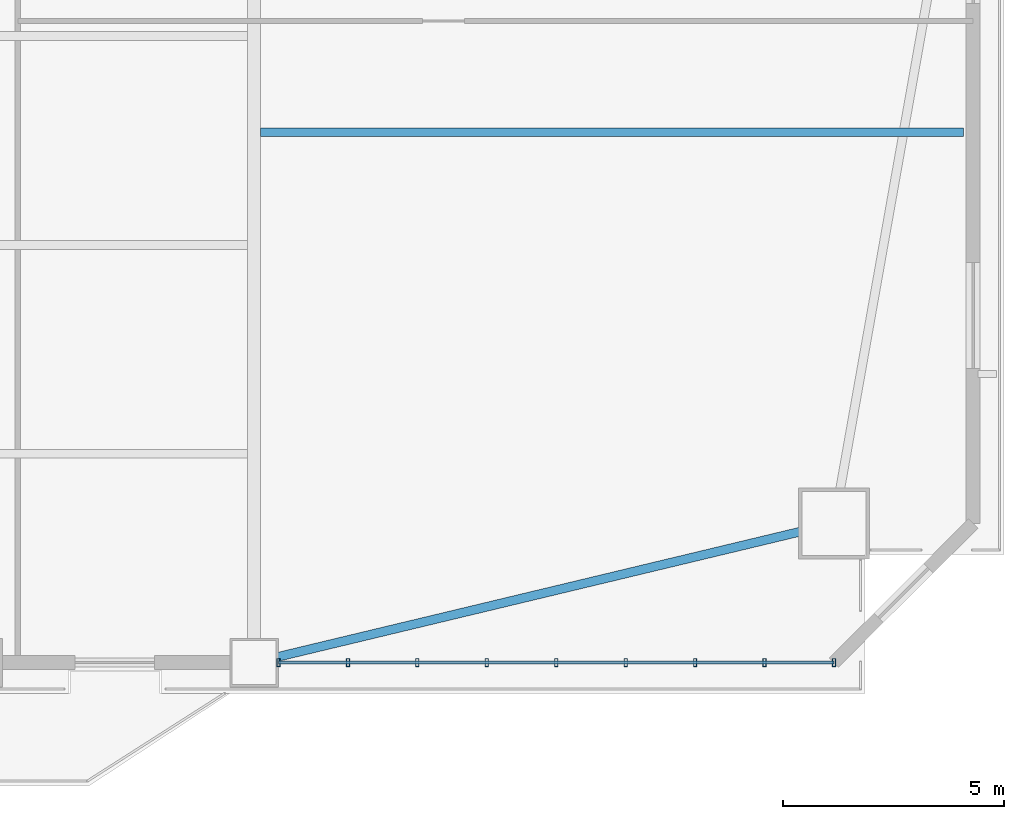
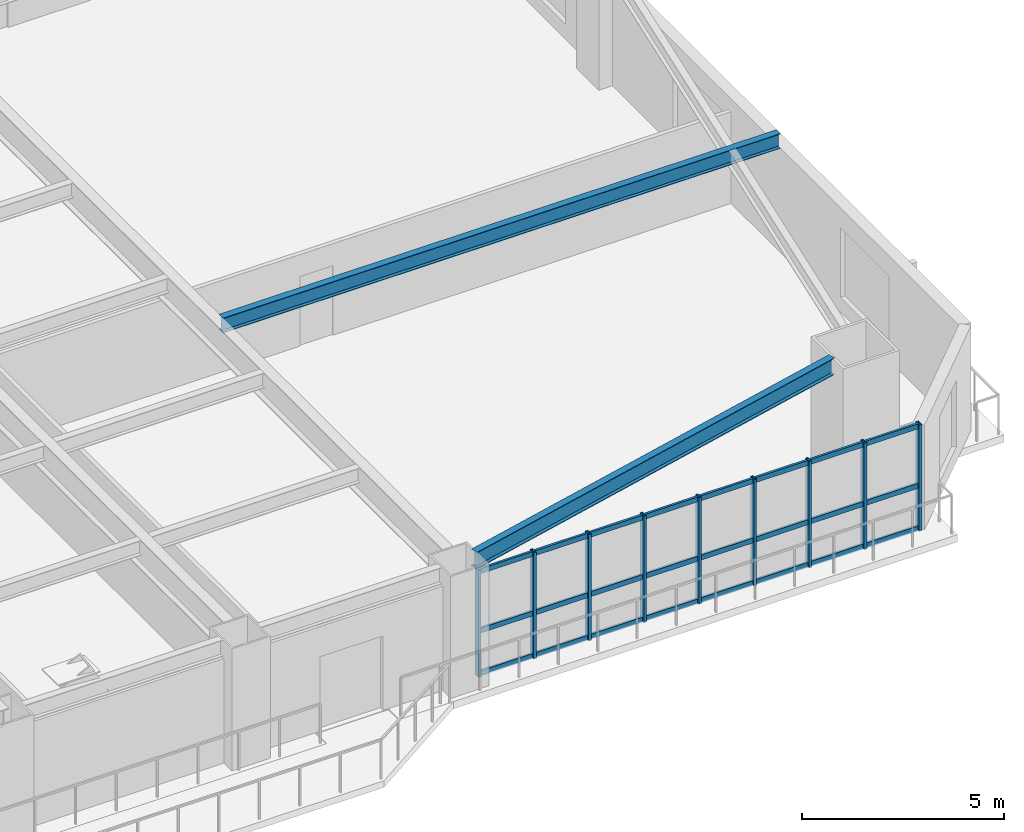
# One storey, part 6 of 17: 12 members, 2 beams, 1 element without a shape of its own.
"""IFC4 building model written with IfcOpenShell, lengths in metres."""

from ifc_helpers import new_model, si_unit, direction, frame, origin, origin_2d, place, context, subcontext, project, spatial, hollow_rectangle, i_section, extrude, source, transform, mapped, material, layer, layer_set, material_profile, profile_set, type_object, element, aggregate, save


model = new_model("IFC4")

# Units and contexts
model_context = context("Model", 3, precision=1e-05, world=origin(), true_north=direction((0.0, 1.0)))
body_context = subcontext(model_context, "Body", "Model", "MODEL_VIEW")
ifc_project = project(units=[si_unit("LENGTHUNIT", "METRE"), si_unit("AREAUNIT", "SQUARE_METRE"), si_unit("VOLUMEUNIT", "CUBIC_METRE"), si_unit("PLANEANGLEUNIT", "RADIAN"), si_unit("MASSUNIT", "GRAM", prefix="KILO")], contexts=[model_context])

# Site, building, storey
site_placement = place(None, origin())
site = spatial("IfcSite", under=ifc_project, at=site_placement, CompositionType="ELEMENT")
building_placement = place(site_placement, origin())
building = spatial("IfcBuilding", under=site, at=building_placement, Name="Giltprow Tower", CompositionType="ELEMENT")
storey_placement = place(building_placement, frame((0.0, 0.0, 53.300048828125)))
storey = spatial("IfcBuildingStorey", under=building, at=storey_placement, Name="L13", CompositionType="ELEMENT", Elevation=53.300048828125)

# Beams
ifc_material_1 = material(Name="Structural steel Q355B", Category="steel")
ifc_material_profile_1 = material_profile(ifc_material_1, i_section(OverallWidth=0.199951171875, OverallDepth=0.5, WebThickness=0.010009765625, FlangeThickness=0.01611328125, at=origin_2d()), Name="HN 500x200x10x16")
ifc_profile_set_1 = profile_set([ifc_material_profile_1], Name="Structural steel Q355B")
beam_type_1 = type_object("IfcBeamType", Name="BM-SPAN-HN500", PredefinedType="SPANDREL", material=ifc_profile_set_1)
shared_shape_1 = source(origin(), body_context, "Body", "SweptSolid", [
    extrude(i_section(OverallWidth=0.199951171875, OverallDepth=0.5, WebThickness=0.010009765625, FlangeThickness=0.01611328125, at=origin_2d()), origin(), (0.0, 0.0, 1.0), 12.1845703125),
])
beam_1_placement = place(storey_placement, frame((51.070068359375, 4.47900390625, 3.429931640625), z_axis=(0.972455101708, 0.23309027256, 0.0), x_axis=(-0.23309027256, 0.972455101708, 0.0)))
element("IfcBeam", 1, at=beam_1_placement, inside=storey, type_object=beam_type_1, Name="L13 Perimeter Spandrel Beam S4-MC_SE", PredefinedType="SPANDREL", context=body_context, shape_type="MappedRepresentation", body=[
    mapped(shared_shape_1, transform((0.0, 0.0, 0.0), x_axis=(1.0, 0.0, 0.0), y_axis=(0.0, 1.0, 0.0), z_axis=(0.0, 0.0, 1.0), scale=1.0)),
])
ifc_material_profile_2 = material_profile(ifc_material_1, i_section(OverallWidth=0.199951171875, OverallDepth=0.449951171875, WebThickness=0.009033203125, FlangeThickness=0.013916015625, at=origin_2d()), Name="HN 450x200x9x14")
ifc_profile_set_2 = profile_set([ifc_material_profile_2], Name="Structural steel Q355B")
beam_type_2 = type_object("IfcBeamType", Name="BM-JOIST-HN450", PredefinedType="JOIST", material=ifc_profile_set_2)
shared_shape_2 = source(origin(), body_context, "Body", "SweptSolid", [
    extrude(i_section(OverallWidth=0.199951171875, OverallDepth=0.449951171875, WebThickness=0.009033203125, FlangeThickness=0.013916015625, at=origin_2d()), origin(), (0.0, 0.0, 1.0), 15.9150390625),
])
beam_2_placement = place(storey_placement, frame((50.695068359375, 16.364013671875, 3.454833984375), z_axis=(1.0, 0.0, 0.0), x_axis=(0.0, 1.0, 0.0)))
element("IfcBeam", 2, at=beam_2_placement, inside=storey, type_object=beam_type_2, Name="L13 East Wing Floor Joist 1", PredefinedType="JOIST", context=body_context, shape_type="MappedRepresentation", body=[
    mapped(shared_shape_2, transform((0.0, 0.0, 0.0), x_axis=(1.0, 0.0, 0.0), y_axis=(0.0, 1.0, 0.0), z_axis=(0.0, 0.0, 1.0), scale=1.0)),
])

# Curtain wall, members
ifc_material_2 = material(Name="Anodized bronze", Category="metal")
ifc_layer = layer(ifc_material_2, 0.179931640625, Name="Anodized bronze")
ifc_layer_set = layer_set([ifc_layer], Name="Anodized bronze")
curtain_wall_type = type_object("IfcCurtainWallType", Name="CW-OFF-RECESSED", PredefinedType="NOTDEFINED", material=ifc_layer_set)
curtain_wall_placement = place(storey_placement, origin())
curtain_wall = element("IfcCurtainWall", 3, at=curtain_wall_placement, inside=storey, type_object=curtain_wall_type, Name="L13 South Recessed Curtain Wall 6", PredefinedType="NOTDEFINED")
ifc_material_profile_3 = material_profile(ifc_material_2, hollow_rectangle(XDim=0.074951171875, YDim=0.179931640625, WallThickness=0.008056640625, at=origin_2d()), Name="RHS 180x75x8")
ifc_profile_set_3 = profile_set([ifc_material_profile_3], Name="Anodized bronze")
member_type_1 = type_object("IfcMemberType", Name="CW-MULLION-180x75", PredefinedType="MULLION", material=ifc_profile_set_3)
shared_shape_3 = source(origin(), body_context, "Body", "SweptSolid", [
    extrude(hollow_rectangle(XDim=0.074951171875, YDim=0.179931640625, WallThickness=0.008056640625, at=origin_2d()), origin(), (0.0, 0.0, 1.0), 3.215087890625),
])
member_1_placement = place(storey_placement, frame((51.10009765625, 4.35400390625, -0.02001953125), z_axis=(0.0, 0.0, 1.0), x_axis=(1.0, 0.0, 0.0)))
member_1 = element("IfcMember", 4, at=member_1_placement, type_object=member_type_1, Name="L13 South Recessed Curtain Wall 6 Mullion 1", PredefinedType="MULLION", context=body_context, shape_type="MappedRepresentation", body=[
    mapped(shared_shape_3, transform((0.0, 0.0, 0.0), x_axis=(1.0, 0.0, 0.0), y_axis=(0.0, 1.0, 0.0), z_axis=(0.0, 0.0, 1.0), scale=1.0)),
])
member_2_placement = place(storey_placement, frame((52.673095703125, 4.35400390625, -0.02001953125), z_axis=(0.0, 0.0, 1.0), x_axis=(1.0, 0.0, 0.0)))
member_2 = element("IfcMember", 5, at=member_2_placement, type_object=member_type_1, Name="L13 South Recessed Curtain Wall 6 Mullion 2", PredefinedType="MULLION", context=body_context, shape_type="MappedRepresentation", body=[
    mapped(shared_shape_3, transform((0.0, 0.0, 0.0), x_axis=(1.0, 0.0, 0.0), y_axis=(0.0, 1.0, 0.0), z_axis=(0.0, 0.0, 1.0), scale=1.0)),
])
member_3_placement = place(storey_placement, frame((54.2451171875, 4.35400390625, -0.02001953125), z_axis=(0.0, 0.0, 1.0), x_axis=(1.0, 0.0, 0.0)))
member_3 = element("IfcMember", 6, at=member_3_placement, type_object=member_type_1, Name="L13 South Recessed Curtain Wall 6 Mullion 3", PredefinedType="MULLION", context=body_context, shape_type="MappedRepresentation", body=[
    mapped(shared_shape_3, transform((0.0, 0.0, 0.0), x_axis=(1.0, 0.0, 0.0), y_axis=(0.0, 1.0, 0.0), z_axis=(0.0, 0.0, 1.0), scale=1.0)),
])
member_4_placement = place(storey_placement, frame((55.818115234375, 4.35400390625, -0.02001953125), z_axis=(0.0, 0.0, 1.0), x_axis=(1.0, 0.0, 0.0)))
member_4 = element("IfcMember", 7, at=member_4_placement, type_object=member_type_1, Name="L13 South Recessed Curtain Wall 6 Mullion 4", PredefinedType="MULLION", context=body_context, shape_type="MappedRepresentation", body=[
    mapped(shared_shape_3, transform((0.0, 0.0, 0.0), x_axis=(1.0, 0.0, 0.0), y_axis=(0.0, 1.0, 0.0), z_axis=(0.0, 0.0, 1.0), scale=1.0)),
])
member_5_placement = place(storey_placement, frame((57.39111328125, 4.35400390625, -0.02001953125), z_axis=(0.0, 0.0, 1.0), x_axis=(1.0, 0.0, 0.0)))
member_5 = element("IfcMember", 8, at=member_5_placement, type_object=member_type_1, Name="L13 South Recessed Curtain Wall 6 Mullion 5", PredefinedType="MULLION", context=body_context, shape_type="MappedRepresentation", body=[
    mapped(shared_shape_3, transform((0.0, 0.0, 0.0), x_axis=(1.0, 0.0, 0.0), y_axis=(0.0, 1.0, 0.0), z_axis=(0.0, 0.0, 1.0), scale=1.0)),
])
member_6_placement = place(storey_placement, frame((58.964111328125, 4.35400390625, -0.02001953125), z_axis=(0.0, 0.0, 1.0), x_axis=(1.0, 0.0, 0.0)))
member_6 = element("IfcMember", 9, at=member_6_placement, type_object=member_type_1, Name="L13 South Recessed Curtain Wall 6 Mullion 6", PredefinedType="MULLION", context=body_context, shape_type="MappedRepresentation", body=[
    mapped(shared_shape_3, transform((0.0, 0.0, 0.0), x_axis=(1.0, 0.0, 0.0), y_axis=(0.0, 1.0, 0.0), z_axis=(0.0, 0.0, 1.0), scale=1.0)),
])
member_7_placement = place(storey_placement, frame((60.537109375, 4.35400390625, -0.02001953125), z_axis=(0.0, 0.0, 1.0), x_axis=(1.0, 0.0, 0.0)))
member_7 = element("IfcMember", 10, at=member_7_placement, type_object=member_type_1, Name="L13 South Recessed Curtain Wall 6 Mullion 7", PredefinedType="MULLION", context=body_context, shape_type="MappedRepresentation", body=[
    mapped(shared_shape_3, transform((0.0, 0.0, 0.0), x_axis=(1.0, 0.0, 0.0), y_axis=(0.0, 1.0, 0.0), z_axis=(0.0, 0.0, 1.0), scale=1.0)),
])
member_8_placement = place(storey_placement, frame((62.10888671875, 4.35400390625, -0.02001953125), z_axis=(0.0, 0.0, 1.0), x_axis=(1.0, 0.0, 0.0)))
member_8 = element("IfcMember", 11, at=member_8_placement, type_object=member_type_1, Name="L13 South Recessed Curtain Wall 6 Mullion 8", PredefinedType="MULLION", context=body_context, shape_type="MappedRepresentation", body=[
    mapped(shared_shape_3, transform((0.0, 0.0, 0.0), x_axis=(1.0, 0.0, 0.0), y_axis=(0.0, 1.0, 0.0), z_axis=(0.0, 0.0, 1.0), scale=1.0)),
])
member_9_placement = place(storey_placement, frame((63.681884765625, 4.35400390625, -0.02001953125), z_axis=(0.0, 0.0, 1.0), x_axis=(1.0, 0.0, 0.0)))
member_9 = element("IfcMember", 12, at=member_9_placement, type_object=member_type_1, Name="L13 South Recessed Curtain Wall 6 Mullion 9", PredefinedType="MULLION", context=body_context, shape_type="MappedRepresentation", body=[
    mapped(shared_shape_3, transform((0.0, 0.0, 0.0), x_axis=(1.0, 0.0, 0.0), y_axis=(0.0, 1.0, 0.0), z_axis=(0.0, 0.0, 1.0), scale=1.0)),
])
ifc_material_profile_4 = material_profile(ifc_material_2, hollow_rectangle(XDim=0.06494140625, YDim=0.14990234375, WallThickness=0.006103515625, at=origin_2d()), Name="RHS 150x65x6")
ifc_profile_set_4 = profile_set([ifc_material_profile_4], Name="Anodized bronze")
member_type_2 = type_object("IfcMemberType", Name="CW-TRANSOM-150x65", PredefinedType="USERDEFINED", material=ifc_profile_set_4)
shared_shape_4 = source(origin(), body_context, "Body", "SweptSolid", [
    extrude(hollow_rectangle(XDim=0.06494140625, YDim=0.14990234375, WallThickness=0.006103515625, at=origin_2d()), origin(), (0.0, 0.0, 1.0), 12.581787109375),
])
member_10_placement = place(storey_placement, frame((51.10009765625, 4.35400390625, 0.0400390625), z_axis=(1.0, 0.0, 0.0), x_axis=(0.0, 1.0, 0.0)))
member_10 = element("IfcMember", 13, at=member_10_placement, type_object=member_type_2, Name="L13 South Recessed Curtain Wall 6 Transom 1", ObjectType="TRANSOM", PredefinedType="USERDEFINED", context=body_context, shape_type="MappedRepresentation", body=[
    mapped(shared_shape_4, transform((0.0, 0.0, 0.0), x_axis=(1.0, 0.0, 0.0), y_axis=(0.0, 1.0, 0.0), z_axis=(0.0, 0.0, 1.0), scale=1.0)),
])
member_11_placement = place(storey_placement, frame((51.10009765625, 4.35400390625, 1.326904296875), z_axis=(1.0, 0.0, 0.0), x_axis=(0.0, 1.0, 0.0)))
member_11 = element("IfcMember", 14, at=member_11_placement, type_object=member_type_2, Name="L13 South Recessed Curtain Wall 6 Transom 2", ObjectType="TRANSOM", PredefinedType="USERDEFINED", context=body_context, shape_type="MappedRepresentation", body=[
    mapped(shared_shape_4, transform((0.0, 0.0, 0.0), x_axis=(1.0, 0.0, 0.0), y_axis=(0.0, 1.0, 0.0), z_axis=(0.0, 0.0, 1.0), scale=1.0)),
])
member_12_placement = place(storey_placement, frame((51.10009765625, 4.35400390625, 3.119873046875), z_axis=(1.0, 0.0, 0.0), x_axis=(0.0, 1.0, 0.0)))
member_12 = element("IfcMember", 15, at=member_12_placement, type_object=member_type_2, Name="L13 South Recessed Curtain Wall 6 Transom 3", ObjectType="TRANSOM", PredefinedType="USERDEFINED", context=body_context, shape_type="MappedRepresentation", body=[
    mapped(shared_shape_4, transform((0.0, 0.0, 0.0), x_axis=(1.0, 0.0, 0.0), y_axis=(0.0, 1.0, 0.0), z_axis=(0.0, 0.0, 1.0), scale=1.0)),
])
aggregate(curtain_wall, [member_1, member_2, member_3, member_4, member_5, member_6, member_7, member_8, member_9, member_10, member_11, member_12])

save(model, "model.ifc")
